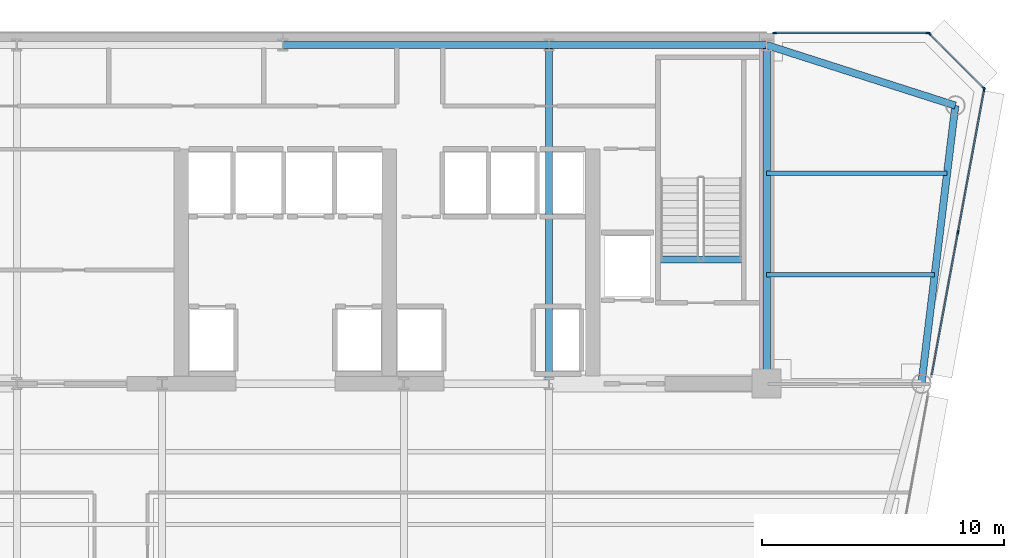
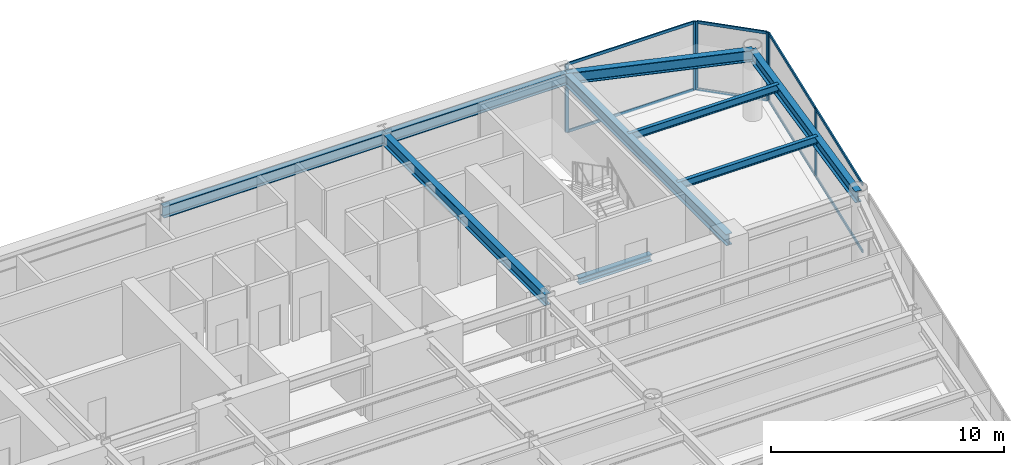
# One storey, part 8 of 16: 14 members, 9 beams, 3 elements without a shape of their own.
"""IFC4 building model written with IfcOpenShell, lengths in metres."""

import ifcopenshell
import ifcopenshell.guid

model = None  # the IFC model being written
_history = None  # IfcOwnerHistory: only IFC2X3 demands one
_inside = {}  # id of a spatial element -> (the spatial element, [elements in it])
_under = {}  # id of a project, library or spatial element -> (it, [spatial elements below it])
_declared = {}  # id of a project -> (the project, [libraries it declares])
_typed = {}  # id of a type object -> (the type object, [elements of that type])
_made_of = {}  # id of a material, layer set ... -> (it, [elements and type objects made of it])


def new_model(schema):
    """Start an empty IFC model of exactly this schema.

    Asked for "IFC4X3", IfcOpenShell would pick the latest addendum, in which some entities
    have other attributes; the version numbers below select the first issue.
    IFC2X3 requires an IfcOwnerHistory on every rooted entity: one is made here for all.
    """
    global model, _history
    if schema == "IFC4X3":
        model = ifcopenshell.file(schema_version=(4, 3, 0, 0))
    else:
        model = ifcopenshell.file(schema=schema)
    _inside.clear()
    _under.clear()
    _declared.clear()
    _typed.clear()
    _made_of.clear()
    _history = None
    if model.schema == "IFC2X3":
        org = make("IfcOrganization", Name="unknown")
        user = make(
            "IfcPersonAndOrganization",
            ThePerson=make("IfcPerson", FamilyName="unknown"),
            TheOrganization=org,
        )
        app = make(
            "IfcApplication",
            ApplicationDeveloper=org,
            Version="unknown",
            ApplicationFullName="unknown",
            ApplicationIdentifier="unknown",
        )
        _history = make(
            "IfcOwnerHistory",
            OwningUser=user,
            OwningApplication=app,
            ChangeAction="ADDED",
            CreationDate=0,
        )
    return model


def make(cls, **values):
    """One entity of the class cls with the attributes given. An attribute that is None is left unset."""
    return model.create_entity(
        cls, **{name: value for name, value in values.items() if value is not None}
    )


def rooted(cls, **values):
    """An entity with a GlobalId (a new one), such as an element, a storey or a relation."""
    return make(cls, GlobalId=ifcopenshell.guid.new(), OwnerHistory=_history, **values)


def si_unit(unit_type, name, prefix=None):
    """IfcSIUnit, for example si_unit("LENGTHUNIT", "METRE", prefix="MILLI")."""
    return make("IfcSIUnit", UnitType=unit_type, Prefix=prefix, Name=name)


def assignment(units):
    """IfcUnitAssignment: the units of a project."""
    return None if units is None else make("IfcUnitAssignment", Units=units)


def point(xyz):
    """IfcCartesianPoint."""
    return None if xyz is None else make("IfcCartesianPoint", Coordinates=xyz)


def direction(xyz):
    """IfcDirection."""
    return None if xyz is None else make("IfcDirection", DirectionRatios=xyz)


def frame(location, z_axis=None, x_axis=None):
    """IfcAxis2Placement3D, a coordinate frame: its origin and axes. An axis left out is left unset."""
    return make(
        "IfcAxis2Placement3D",
        Location=point(location),
        Axis=direction(z_axis),
        RefDirection=direction(x_axis),
    )


def frame_2d(location, x_axis=None):
    """IfcAxis2Placement2D, a coordinate frame in the plane: its origin and x axis."""
    return make(
        "IfcAxis2Placement2D", Location=point(location), RefDirection=direction(x_axis)
    )


def origin():
    """The frame at (0, 0, 0) with its axes left unset."""
    return frame((0.0, 0.0, 0.0))


def origin_2d():
    """The frame at (0, 0) in the plane with its x axis left unset."""
    return frame_2d((0.0, 0.0))


def place(relative_to, where):
    """IfcLocalPlacement: puts the frame where relative to a parent placement (None: the world)."""
    return make(
        "IfcLocalPlacement", PlacementRelTo=relative_to, RelativePlacement=where
    )


def context(
    kind, dimensions, precision=None, world=None, true_north=None, identifier=None
):
    """IfcGeometricRepresentationContext, for example the 3D "Model" context."""
    return make(
        "IfcGeometricRepresentationContext",
        ContextIdentifier=identifier,
        ContextType=kind,
        CoordinateSpaceDimension=dimensions,
        Precision=precision,
        WorldCoordinateSystem=world,
        TrueNorth=true_north,
    )


def subcontext(parent, identifier, kind, view, scale=None):
    """IfcGeometricRepresentationSubContext, for example "Body" below "Model"."""
    return make(
        "IfcGeometricRepresentationSubContext",
        ContextIdentifier=identifier,
        ContextType=kind,
        ParentContext=parent,
        TargetScale=scale,
        TargetView=view,
    )


def project(units=None, contexts=None):
    """IfcProject with its units and contexts."""
    return rooted(
        "IfcProject",
        Name="project",
        RepresentationContexts=contexts,
        UnitsInContext=assignment(units),
    )


def spatial(cls, under=None, at=None, **own):
    """A site, building, storey or space (cls), placed at a placement, below another one or the project."""
    s = rooted(cls, ObjectPlacement=at, **own)
    if under is not None:
        _under.setdefault(under.id(), (under, []))[1].append(s)
    return s


def profile(cls, at=None, kind="AREA", **sizes):
    """A parametric profile (cls). Its sizes go by their IFC names, for example OverallWidth=200.0."""
    return make(cls, ProfileType=kind, Position=at, **sizes)


def rectangle(**sizes):
    """IfcRectangleProfileDef."""
    return profile("IfcRectangleProfileDef", **sizes)


def i_section(**sizes):
    """IfcIShapeProfileDef."""
    return profile("IfcIShapeProfileDef", **sizes)


def extrude(swept, where, along, depth):
    """IfcExtrudedAreaSolid: the profile swept, set in the frame where, extruded along a direction by depth."""
    return make(
        "IfcExtrudedAreaSolid",
        SweptArea=swept,
        Position=where,
        ExtrudedDirection=direction(along),
        Depth=depth,
    )


def shape(context_of_items, identifier, shape_type, items):
    """IfcShapeRepresentation: the items that make up one representation, for example the "Body"."""
    return make(
        "IfcShapeRepresentation",
        ContextOfItems=context_of_items,
        RepresentationIdentifier=identifier,
        RepresentationType=shape_type,
        Items=items,
    )


def source(mapping_origin, context_of_items, identifier, shape_type, items):
    """IfcRepresentationMap: a shape defined once, which mapped items show again and again."""
    return make(
        "IfcRepresentationMap",
        MappingOrigin=mapping_origin,
        MappedRepresentation=shape(context_of_items, identifier, shape_type, items),
    )


def transform(
    local_origin,
    x_axis=None,
    y_axis=None,
    z_axis=None,
    scale=None,
    scale2=None,
    scale3=None,
    uniform=True,
):
    """IfcCartesianTransformationOperator3D, or its non-uniform kind. x_axis, y_axis, z_axis: its Axis1, 2, 3."""
    if uniform:
        return make(
            "IfcCartesianTransformationOperator3D",
            Axis1=direction(x_axis),
            Axis2=direction(y_axis),
            LocalOrigin=point(local_origin),
            Scale=scale,
            Axis3=direction(z_axis),
        )
    return make(
        "IfcCartesianTransformationOperator3DnonUniform",
        Axis1=direction(x_axis),
        Axis2=direction(y_axis),
        LocalOrigin=point(local_origin),
        Scale=scale,
        Axis3=direction(z_axis),
        Scale2=scale2,
        Scale3=scale3,
    )


def mapped(mapping_source, mapping_target):
    """IfcMappedItem: shows the shape of a source again, moved by a transform."""
    return make(
        "IfcMappedItem", MappingSource=mapping_source, MappingTarget=mapping_target
    )


def material(Name=None, Category=None):
    """IfcMaterial."""
    return make("IfcMaterial", Name=Name, Category=Category)


def layer(
    of_material, thickness, ventilated=None, Name=None, Category=None, Priority=None
):
    """IfcMaterialLayer: one layer of a wall or slab, of a material (None: an air gap)."""
    return make(
        "IfcMaterialLayer",
        Material=of_material,
        LayerThickness=thickness,
        IsVentilated=ventilated,
        Name=Name,
        Category=Category,
        Priority=Priority,
    )


def layer_set(layers, Name=None):
    """IfcMaterialLayerSet."""
    return make("IfcMaterialLayerSet", MaterialLayers=layers, LayerSetName=Name)


def material_profile(
    of_material, cross_section, Name=None, Category=None, Priority=None
):
    """IfcMaterialProfile: a cross section and its material."""
    return make(
        "IfcMaterialProfile",
        Name=Name,
        Material=of_material,
        Profile=cross_section,
        Priority=Priority,
        Category=Category,
    )


def profile_set(profiles, Name=None, composite=None):
    """IfcMaterialProfileSet."""
    return make(
        "IfcMaterialProfileSet",
        Name=Name,
        MaterialProfiles=profiles,
        CompositeProfile=composite,
    )


def made_of(thing, what):
    """Note that an element or type object is made of a material, layer set ...; save() writes the relation."""
    if what is not None:
        _made_of.setdefault(what.id(), (what, []))[1].append(thing)
    return thing


def type_object(cls, material=None, **own):
    """A type object (cls), such as IfcWallType, which elements share."""
    return made_of(rooted(cls, **own), material)


def element(
    cls,
    number,
    at=None,
    inside=None,
    cuts=None,
    type_object=None,
    material=None,
    context=None,
    identifier="Body",
    shape_type=None,
    held_by="IfcProductDefinitionShape",
    body=None,
    shapes=None,
    **own,
):
    """One element of the class cls, such as IfcWall. Its Tag is "e" and its number.

    at: its placement. inside: the storey or other place that contains it. cuts: it is an
    opening in that element (IfcRelVoidsElement). A single representation is given by context,
    identifier, shape_type and body (its items); several are given by shapes. held_by: the class
    of the entity that holds the representations. save() writes the other relations.
    """
    e = rooted(cls, Tag="e%d" % number, ObjectPlacement=at, **own)
    if body is not None:
        shapes = [shape(context, identifier, shape_type, body)]
    if shapes is not None:
        e.Representation = make(held_by, Representations=shapes)
    if inside is not None:
        _inside.setdefault(inside.id(), (inside, []))[1].append(e)
    if cuts is not None:
        rooted(
            "IfcRelVoidsElement", RelatingBuildingElement=cuts, RelatedOpeningElement=e
        )
    if type_object is not None:
        _typed.setdefault(type_object.id(), (type_object, []))[1].append(e)
    return made_of(e, material)


def aggregate(whole, parts):
    """IfcRelAggregates: a whole, such as a stair, and the parts it consists of."""
    return rooted("IfcRelAggregates", RelatingObject=whole, RelatedObjects=parts)


def save(model, path):
    """Write the relations noted so far, then the file.

    IfcRelAggregates (storeys below a building ...), IfcRelContainedInSpatialStructure (elements
    in a storey), IfcRelDefinesByType, IfcRelAssociatesMaterial and IfcRelDeclares: one each for
    every whole, place, type object, material and project.
    """
    for whole, parts in _under.values():
        aggregate(whole, parts)
    for where, things in _inside.values():
        rooted(
            "IfcRelContainedInSpatialStructure",
            RelatedElements=things,
            RelatingStructure=where,
        )
    for kind, things in _typed.values():
        rooted("IfcRelDefinesByType", RelatedObjects=things, RelatingType=kind)
    for what, things in _made_of.values():
        rooted("IfcRelAssociatesMaterial", RelatedObjects=things, RelatingMaterial=what)
    for by, libraries in _declared.values():
        rooted("IfcRelDeclares", RelatingContext=by, RelatedDefinitions=libraries)
    model.write(path)


model = new_model("IFC4")

# Units and contexts
model_context = context("Model", 3, precision=1e-05, world=origin(), true_north=direction((0.0, 1.0)))
body_context = subcontext(model_context, "Body", "Model", "MODEL_VIEW")
ifc_project = project(units=[si_unit("LENGTHUNIT", "METRE"), si_unit("AREAUNIT", "SQUARE_METRE"), si_unit("VOLUMEUNIT", "CUBIC_METRE"), si_unit("PLANEANGLEUNIT", "RADIAN"), si_unit("MASSUNIT", "GRAM", prefix="KILO")], contexts=[model_context])

# Site, building, storey
site_placement = place(None, origin())
site = spatial("IfcSite", under=ifc_project, at=site_placement, CompositionType="ELEMENT")
building_placement = place(site_placement, origin())
building = spatial("IfcBuilding", under=site, at=building_placement, Name="Vaeldorn Concourse Tower", CompositionType="ELEMENT")
storey_placement = place(building_placement, frame((0.0, 0.0, 195.60009765625)))
storey = spatial("IfcBuildingStorey", under=building, at=storey_placement, Name="L50", CompositionType="ELEMENT", Elevation=195.60009765625)

# Beams
ifc_material_1 = material(Name="Steel S355", Category="steel")
ifc_material_profile_1 = material_profile(ifc_material_1, i_section(OverallWidth=0.300048828125, OverallDepth=0.340087890625, WebThickness=0.011962890625, FlangeThickness=0.021484375, FilletRadius=0.027099609375, at=origin_2d()), Name="HEB 340")
ifc_profile_set_1 = profile_set([ifc_material_profile_1], Name="Steel S355")
beam_type_1 = type_object("IfcBeamType", Name="BM-ST-TRIM", PredefinedType="BEAM", material=ifc_profile_set_1)
shared_shape_1 = source(origin(), body_context, "Body", "SweptSolid", [
    extrude(i_section(OverallWidth=0.300048828125, OverallDepth=0.340087890625, WebThickness=0.011962890625, FlangeThickness=0.021484375, FilletRadius=0.027099609375, at=origin_2d()), origin(), (0.0, 0.0, 1.0), 3.590087890625),
])
beam_1_placement = place(storey_placement, frame((49.47998046875, 41.639892578125, -0.39013671875), z_axis=(1.0, 0.0, 0.0), x_axis=(0.0, 1.0, 0.0)))
element("IfcBeam", 1, at=beam_1_placement, inside=storey, type_object=beam_type_1, Name="Stair Landing Trimmer Beam ST-2 L50", PredefinedType="BEAM", context=body_context, shape_type="MappedRepresentation", body=[
    mapped(shared_shape_1, transform((0.0, 0.0, 0.0), scale=1.0)),
])
ifc_material_profile_2 = material_profile(ifc_material_1, i_section(OverallWidth=0.300048828125, OverallDepth=0.60009765625, WebThickness=0.015380859375, FlangeThickness=0.030029296875, FilletRadius=0.027099609375, at=origin_2d()), Name="HEB 600")
ifc_profile_set_2 = profile_set([ifc_material_profile_2], Name="Steel S355")
beam_type_2 = type_object("IfcBeamType", Name="BM-PG-HEB600", PredefinedType="BEAM", material=ifc_profile_set_2)
shared_shape_2 = source(origin(), body_context, "Body", "SweptSolid", [
    extrude(i_section(OverallWidth=0.300048828125, OverallDepth=0.60009765625, WebThickness=0.015380859375, FlangeThickness=0.030029296875, FilletRadius=0.027099609375, at=origin_2d()), origin(), (0.0, 0.0, 1.0), 9.0),
])
beam_2_placement = place(storey_placement, frame((45.0, 50.5, 3.27978515625), z_axis=(1.0, 0.0, 0.0), x_axis=(0.0, 1.0, 0.0)))
element("IfcBeam", 2, at=beam_2_placement, inside=storey, type_object=beam_type_2, Name="Beam BM-L50-C-HC4-C-HC5", PredefinedType="BEAM", context=body_context, shape_type="MappedRepresentation", body=[
    mapped(shared_shape_2, transform((0.0, 0.0, 0.0), scale=1.0)),
])
shared_shape_3 = source(origin(), body_context, "Body", "SweptSolid", [
    extrude(i_section(OverallWidth=0.300048828125, OverallDepth=0.60009765625, WebThickness=0.015380859375, FlangeThickness=0.030029296875, FilletRadius=0.027099609375, at=origin_2d()), origin(), (0.0, 0.0, 1.0), 11.0),
])
beam_3_placement = place(storey_placement, frame((34.0, 50.5, 3.27978515625), z_axis=(1.0, 0.0, 0.0), x_axis=(0.0, 1.0, 0.0)))
element("IfcBeam", 3, at=beam_3_placement, inside=storey, type_object=beam_type_2, Name="Beam BM-L50-C-HC3-C-HC4", PredefinedType="BEAM", context=body_context, shape_type="MappedRepresentation", body=[
    mapped(shared_shape_3, transform((0.0, 0.0, 0.0), scale=1.0)),
])
shared_shape_4 = source(origin(), body_context, "Body", "SweptSolid", [
    extrude(i_section(OverallWidth=0.300048828125, OverallDepth=0.60009765625, WebThickness=0.015380859375, FlangeThickness=0.030029296875, FilletRadius=0.027099609375, at=origin_2d()), origin(), (0.0, 0.0, 1.0), 14.0),
])
for number, where, z_axis, x_axis, name in (
    (4, (45.0, 36.5, 3.27978515625), (0.0, 1.0, 0.0), (-1.0, 0.0, 0.0), "Beam BM-L50-C-FC5-C-HC4"),
    (5, (54.0, 36.5, 3.27978515625), (0.0, 1.0, 0.0), (-1.0, 0.0, 0.0), "Beam BM-L50-C-FC6-C-HC5"),
):
    element("IfcBeam", number, at=place(storey_placement, frame(where, z_axis=z_axis, x_axis=x_axis)), inside=storey, type_object=beam_type_2, Name=name, PredefinedType="BEAM", context=body_context, shape_type="MappedRepresentation", body=[
        mapped(shared_shape_4, transform((0.0, 0.0, 0.0), scale=1.0)),
    ])
shared_shape_5 = source(origin(), body_context, "Body", "SweptSolid", [
    extrude(i_section(OverallWidth=0.300048828125, OverallDepth=0.60009765625, WebThickness=0.015380859375, FlangeThickness=0.030029296875, FilletRadius=0.027099609375, at=origin_2d()), origin(), (0.0, 0.0, 1.0), 8.19091796875),
])
beam_4_placement = place(storey_placement, frame((54.0, 50.5, 3.27978515625), z_axis=(0.952282843383, -0.305216949396, 0.0), x_axis=(0.305216949396, 0.952282843383, 0.0)))
element("IfcBeam", 6, at=beam_4_placement, inside=storey, type_object=beam_type_2, Name="Beam BM-L50-C-HC5-C-NE1", PredefinedType="BEAM", context=body_context, shape_type="MappedRepresentation", body=[
    mapped(shared_shape_5, transform((0.0, 0.0, 0.0), scale=1.0)),
])
shared_shape_6 = source(origin(), body_context, "Body", "SweptSolid", [
    extrude(i_section(OverallWidth=0.300048828125, OverallDepth=0.60009765625, WebThickness=0.015380859375, FlangeThickness=0.030029296875, FilletRadius=0.027099609375, at=origin_2d()), origin(), (0.0, 0.0, 1.0), 11.5849609375),
])
beam_5_placement = place(storey_placement, frame((61.800048828125, 48.0, 3.27978515625), z_axis=(-0.120859382899, -0.992669637677, 0.0), x_axis=(0.992669637677, -0.120859382899, 0.0)))
element("IfcBeam", 7, at=beam_5_placement, inside=storey, type_object=beam_type_2, Name="Beam BM-L50-C-NE1-C-NE2", PredefinedType="BEAM", context=body_context, shape_type="MappedRepresentation", body=[
    mapped(shared_shape_6, transform((0.0, 0.0, 0.0), scale=1.0)),
])
ifc_material_profile_3 = material_profile(ifc_material_1, i_section(OverallWidth=0.179931640625, OverallDepth=0.39990234375, WebThickness=0.008544921875, FlangeThickness=0.013427734375, FilletRadius=0.02099609375, at=origin_2d()), Name="IPE 400")
ifc_profile_set_3 = profile_set([ifc_material_profile_3], Name="Steel S355")
beam_type_3 = type_object("IfcBeamType", Name="BM-JS-IPE400", PredefinedType="JOIST", material=ifc_profile_set_3)
shared_shape_7 = source(origin(), body_context, "Body", "SweptSolid", [
    extrude(i_section(OverallWidth=0.179931640625, OverallDepth=0.39990234375, WebThickness=0.008544921875, FlangeThickness=0.013427734375, FilletRadius=0.02099609375, at=origin_2d()), origin(), (0.0, 0.0, 1.0), 6.94775390625),
])
beam_6_placement = place(storey_placement, frame((54.0, 41.0, 3.3798828125), z_axis=(1.0, 0.0, 0.0), x_axis=(0.0, 1.0, 0.0)))
element("IfcBeam", 8, at=beam_6_placement, inside=storey, type_object=beam_type_3, Name="Beam JS-L50-NE-410", PredefinedType="JOIST", context=body_context, shape_type="MappedRepresentation", body=[
    mapped(shared_shape_7, transform((0.0, 0.0, 0.0), scale=1.0)),
])
shared_shape_8 = source(origin(), body_context, "Body", "SweptSolid", [
    extrude(i_section(OverallWidth=0.179931640625, OverallDepth=0.39990234375, WebThickness=0.008544921875, FlangeThickness=0.013427734375, FilletRadius=0.02099609375, at=origin_2d()), origin(), (0.0, 0.0, 1.0), 7.458984375),
])
beam_7_placement = place(storey_placement, frame((54.0, 45.199951171875, 3.3798828125), z_axis=(1.0, 0.0, 0.0), x_axis=(0.0, 1.0, 0.0)))
element("IfcBeam", 9, at=beam_7_placement, inside=storey, type_object=beam_type_3, Name="Beam JS-L50-NE-452", PredefinedType="JOIST", context=body_context, shape_type="MappedRepresentation", body=[
    mapped(shared_shape_8, transform((0.0, 0.0, 0.0), scale=1.0)),
])

# Curtain wall, members
ifc_material_2 = material(Name="Anodised Bronze Aluminium", Category="aluminium")
ifc_layer = layer(ifc_material_2, 0.18994140625)
ifc_layer_set = layer_set([ifc_layer], Name="Anodised Bronze Aluminium")
curtain_wall_type = type_object("IfcCurtainWallType", Name="CW-SYS-03", PredefinedType="NOTDEFINED", material=ifc_layer_set)
curtain_wall_1_placement = place(storey_placement, origin())
curtain_wall_1 = element("IfcCurtainWall", 10, at=curtain_wall_1_placement, inside=storey, type_object=curtain_wall_type, Name="Unitised Curtain Wall CW-L50-E07-2", PredefinedType="NOTDEFINED")
ifc_material_profile_4 = material_profile(ifc_material_2, rectangle(XDim=0.06494140625, YDim=0.169921875, at=origin_2d()), Name="CWM 65x170")
ifc_profile_set_4 = profile_set([ifc_material_profile_4], Name="Anodised Bronze Aluminium")
member_type_1 = type_object("IfcMemberType", Name="CWM-BRONZE-170", PredefinedType="MULLION", material=ifc_profile_set_4)
shared_shape_9 = source(origin(), body_context, "Body", "SweptSolid", [
    extrude(rectangle(XDim=0.06494140625, YDim=0.169921875, at=origin_2d()), origin(), (0.0, 0.0, 1.0), 3.579833984375),
])
member_1_placement = place(storey_placement, frame((61.908203125, 42.753662109375, 0.0), z_axis=(0.0, 0.0, 1.0), x_axis=(-0.983559459619, 0.180584576845, 0.0)))
member_1 = element("IfcMember", 11, at=member_1_placement, type_object=member_type_1, Name="CW-03 mullion 2", PredefinedType="MULLION", context=body_context, shape_type="MappedRepresentation", body=[
    mapped(shared_shape_9, transform((0.0, 0.0, 0.0), scale=1.0)),
])
member_2_placement = place(storey_placement, frame((62.994140625, 48.66796875, 0.0), z_axis=(0.0, 0.0, 1.0), x_axis=(-0.983559459619, 0.180584576845, 0.0)))
member_2 = element("IfcMember", 12, at=member_2_placement, type_object=member_type_1, Name="CW-03 mullion 3", PredefinedType="MULLION", context=body_context, shape_type="MappedRepresentation", body=[
    mapped(shared_shape_9, transform((0.0, 0.0, 0.0), scale=1.0)),
])

curtain_wall_2_placement = place(storey_placement, origin())
curtain_wall_2 = element("IfcCurtainWall", 13, at=curtain_wall_2_placement, inside=storey, type_object=curtain_wall_type, Name="Unitised Curtain Wall CW-L50-E08-1", PredefinedType="NOTDEFINED")
member_3_placement = place(storey_placement, frame((62.97705078125, 48.722900390625, 0.0), z_axis=(0.0, 0.0, 1.0), x_axis=(-0.707106781187, -0.707106781187, 0.0)))
member_3 = element("IfcMember", 14, at=member_3_placement, type_object=member_type_1, Name="CW-03 mullion 1", PredefinedType="MULLION", context=body_context, shape_type="MappedRepresentation", body=[
    mapped(shared_shape_9, transform((0.0, 0.0, 0.0), scale=1.0)),
])
member_4_placement = place(storey_placement, frame((60.722900390625, 50.97705078125, 0.0), z_axis=(0.0, 0.0, 1.0), x_axis=(-0.707106781187, -0.707106781187, 0.0)))
member_4 = element("IfcMember", 15, at=member_4_placement, type_object=member_type_1, Name="CW-03 mullion 2", PredefinedType="MULLION", context=body_context, shape_type="MappedRepresentation", body=[
    mapped(shared_shape_9, transform((0.0, 0.0, 0.0), scale=1.0)),
])

curtain_wall_3_placement = place(storey_placement, origin())
curtain_wall_3 = element("IfcCurtainWall", 16, at=curtain_wall_3_placement, inside=storey, type_object=curtain_wall_type, Name="Unitised Curtain Wall CW-L50-E09-1", PredefinedType="NOTDEFINED")
member_5_placement = place(storey_placement, frame((60.66748046875, 51.0, 0.0), z_axis=(0.0, 0.0, 1.0), x_axis=(0.0, -1.0, 0.0)))
member_5 = element("IfcMember", 17, at=member_5_placement, type_object=member_type_1, Name="CW-03 mullion 1", PredefinedType="MULLION", context=body_context, shape_type="MappedRepresentation", body=[
    mapped(shared_shape_9, transform((0.0, 0.0, 0.0), scale=1.0)),
])
member_6_placement = place(storey_placement, frame((54.327392578125, 51.0, 0.0), z_axis=(0.0, 0.0, 1.0), x_axis=(0.0, -1.0, 0.0)))
member_6 = element("IfcMember", 18, at=member_6_placement, type_object=member_type_1, Name="CW-03 mullion 2", PredefinedType="MULLION", context=body_context, shape_type="MappedRepresentation", body=[
    mapped(shared_shape_9, transform((0.0, 0.0, 0.0), scale=1.0)),
])

# Member
ifc_material_profile_5 = material_profile(ifc_material_2, rectangle(XDim=0.06494140625, YDim=0.14990234375, at=origin_2d()), Name="CWT 65x150")
ifc_profile_set_5 = profile_set([ifc_material_profile_5], Name="Anodised Bronze Aluminium")
member_type_2 = type_object("IfcMemberType", Name="CWT-BRONZE-150", PredefinedType="USERDEFINED", material=ifc_profile_set_5)
shared_shape_10 = source(origin(), body_context, "Body", "SweptSolid", [
    extrude(rectangle(XDim=0.06494140625, YDim=0.14990234375, at=origin_2d()), origin(), (0.0, 0.0, 1.0), 3.123046875),
])
member_7_placement = place(storey_placement, frame((62.9541015625, 48.745849609375, 0.032470703125), z_axis=(-0.707106781187, 0.707106781187, 0.0), x_axis=(-0.707106781187, -0.707106781187, 0.0)))
member_7 = element("IfcMember", 19, at=member_7_placement, type_object=member_type_2, Name="CW-03 transom 1.1", ObjectType="TRANSOM", PredefinedType="USERDEFINED", context=body_context, shape_type="MappedRepresentation", body=[
    mapped(shared_shape_10, transform((0.0, 0.0, 0.0), scale=1.0)),
])

member_8_placement = place(storey_placement, frame((62.9541015625, 48.745849609375, 3.54736328125), z_axis=(-0.707106781187, 0.707106781187, 0.0), x_axis=(-0.707106781187, -0.707106781187, 0.0)))
member_8 = element("IfcMember", 20, at=member_8_placement, type_object=member_type_2, Name="CW-03 transom 1.2", ObjectType="TRANSOM", PredefinedType="USERDEFINED", context=body_context, shape_type="MappedRepresentation", body=[
    mapped(shared_shape_10, transform((0.0, 0.0, 0.0), scale=1.0)),
])

aggregate(curtain_wall_2, [member_3, member_4, member_7, member_8])

shared_shape_11 = source(origin(), body_context, "Body", "SweptSolid", [
    extrude(rectangle(XDim=0.06494140625, YDim=0.14990234375, at=origin_2d()), origin(), (0.0, 0.0, 1.0), 6.27490234375),
])
member_9_placement = place(storey_placement, frame((60.635009765625, 51.0, 0.032470703125), z_axis=(-1.0, 0.0, 0.0), x_axis=(0.0, -1.0, 0.0)))
member_9 = element("IfcMember", 21, at=member_9_placement, type_object=member_type_2, Name="CW-03 transom 1.1", ObjectType="TRANSOM", PredefinedType="USERDEFINED", context=body_context, shape_type="MappedRepresentation", body=[
    mapped(shared_shape_11, transform((0.0, 0.0, 0.0), scale=1.0)),
])

member_10_placement = place(storey_placement, frame((60.635009765625, 51.0, 3.54736328125), z_axis=(-1.0, 0.0, 0.0), x_axis=(0.0, -1.0, 0.0)))
member_10 = element("IfcMember", 22, at=member_10_placement, type_object=member_type_2, Name="CW-03 transom 1.2", ObjectType="TRANSOM", PredefinedType="USERDEFINED", context=body_context, shape_type="MappedRepresentation", body=[
    mapped(shared_shape_11, transform((0.0, 0.0, 0.0), scale=1.0)),
])

aggregate(curtain_wall_3, [member_5, member_6, member_9, member_10])

shared_shape_12 = source(origin(), body_context, "Body", "SweptSolid", [
    extrude(rectangle(XDim=0.06494140625, YDim=0.14990234375, at=origin_2d()), origin(), (0.0, 0.0, 1.0), 5.9482421875),
])
member_11_placement = place(storey_placement, frame((60.828125, 36.871337890625, 0.032470703125), z_axis=(0.180597229094, 0.983557136542, 0.0), x_axis=(-0.983557136542, 0.180597229094, 0.0)))
member_11 = element("IfcMember", 23, at=member_11_placement, type_object=member_type_2, Name="CW-03 transom 1.1", ObjectType="TRANSOM", PredefinedType="USERDEFINED", context=body_context, shape_type="MappedRepresentation", body=[
    mapped(shared_shape_12, transform((0.0, 0.0, 0.0), scale=1.0)),
])

member_12_placement = place(storey_placement, frame((60.828125, 36.871337890625, 3.54736328125), z_axis=(0.180597229094, 0.983557136542, 0.0), x_axis=(-0.983557136542, 0.180597229094, 0.0)))
member_12 = element("IfcMember", 24, at=member_12_placement, type_object=member_type_2, Name="CW-03 transom 1.2", ObjectType="TRANSOM", PredefinedType="USERDEFINED", context=body_context, shape_type="MappedRepresentation", body=[
    mapped(shared_shape_12, transform((0.0, 0.0, 0.0), scale=1.0)),
])

member_13_placement = place(storey_placement, frame((61.9140625, 42.78564453125, 0.032470703125), z_axis=(0.180597229094, 0.983557136542, 0.0), x_axis=(-0.983557136542, 0.180597229094, 0.0)))
member_13 = element("IfcMember", 25, at=member_13_placement, type_object=member_type_2, Name="CW-03 transom 2.1", ObjectType="TRANSOM", PredefinedType="USERDEFINED", context=body_context, shape_type="MappedRepresentation", body=[
    mapped(shared_shape_12, transform((0.0, 0.0, 0.0), scale=1.0)),
])

member_14_placement = place(storey_placement, frame((61.9140625, 42.78564453125, 3.54736328125), z_axis=(0.180597229094, 0.983557136542, 0.0), x_axis=(-0.983557136542, 0.180597229094, 0.0)))
member_14 = element("IfcMember", 26, at=member_14_placement, type_object=member_type_2, Name="CW-03 transom 2.2", ObjectType="TRANSOM", PredefinedType="USERDEFINED", context=body_context, shape_type="MappedRepresentation", body=[
    mapped(shared_shape_12, transform((0.0, 0.0, 0.0), scale=1.0)),
])

aggregate(curtain_wall_1, [member_1, member_2, member_11, member_12, member_13, member_14])

save(model, "model.ifc")
